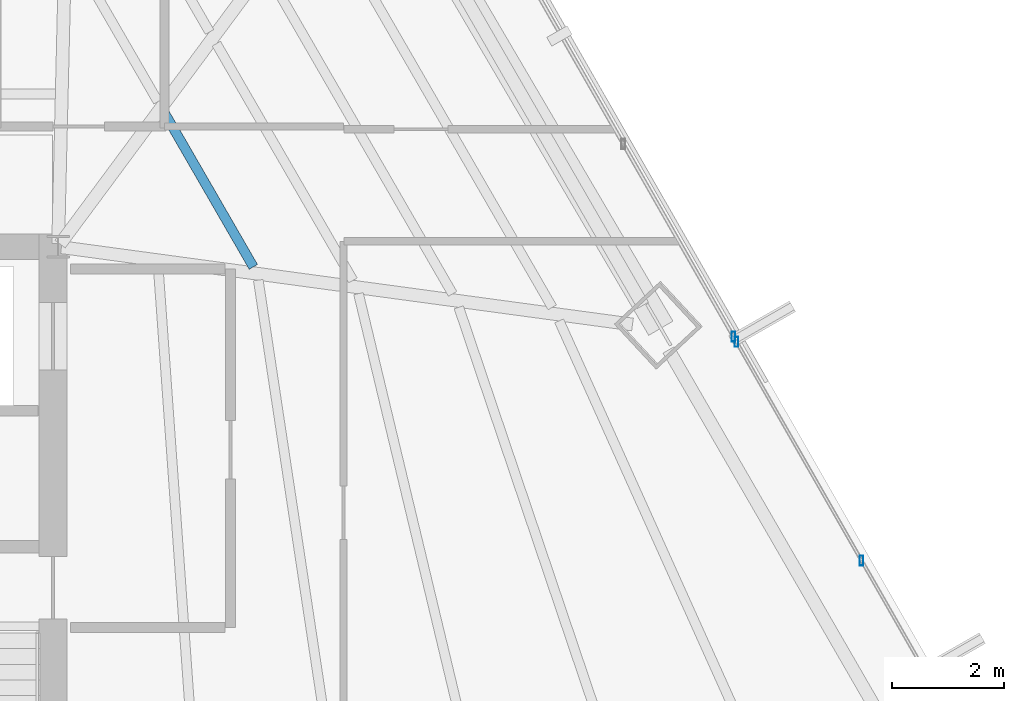
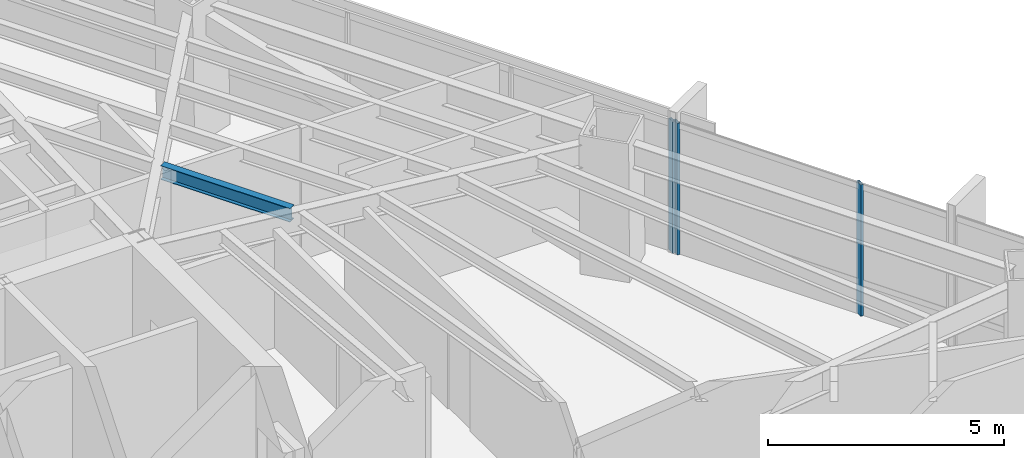
# One storey, part 21 of 36: 3 members, 1 beam, 2 elements without a shape of their own.
"""IFC4 building model written with IfcOpenShell, lengths in metres."""

import ifcopenshell
import ifcopenshell.guid

model = None  # the IFC model being written
_history = None  # IfcOwnerHistory: only IFC2X3 demands one
_inside = {}  # id of a spatial element -> (the spatial element, [elements in it])
_under = {}  # id of a project, library or spatial element -> (it, [spatial elements below it])
_declared = {}  # id of a project -> (the project, [libraries it declares])
_typed = {}  # id of a type object -> (the type object, [elements of that type])
_made_of = {}  # id of a material, layer set ... -> (it, [elements and type objects made of it])


def new_model(schema):
    """Start an empty IFC model of exactly this schema.

    Asked for "IFC4X3", IfcOpenShell would pick the latest addendum, in which some entities
    have other attributes; the version numbers below select the first issue.
    IFC2X3 requires an IfcOwnerHistory on every rooted entity: one is made here for all.
    """
    global model, _history
    if schema == "IFC4X3":
        model = ifcopenshell.file(schema_version=(4, 3, 0, 0))
    else:
        model = ifcopenshell.file(schema=schema)
    _inside.clear()
    _under.clear()
    _declared.clear()
    _typed.clear()
    _made_of.clear()
    _history = None
    if model.schema == "IFC2X3":
        org = make("IfcOrganization", Name="unknown")
        user = make(
            "IfcPersonAndOrganization",
            ThePerson=make("IfcPerson", FamilyName="unknown"),
            TheOrganization=org,
        )
        app = make(
            "IfcApplication",
            ApplicationDeveloper=org,
            Version="unknown",
            ApplicationFullName="unknown",
            ApplicationIdentifier="unknown",
        )
        _history = make(
            "IfcOwnerHistory",
            OwningUser=user,
            OwningApplication=app,
            ChangeAction="ADDED",
            CreationDate=0,
        )
    return model


def make(cls, **values):
    """One entity of the class cls with the attributes given. An attribute that is None is left unset."""
    return model.create_entity(
        cls, **{name: value for name, value in values.items() if value is not None}
    )


def rooted(cls, **values):
    """An entity with a GlobalId (a new one), such as an element, a storey or a relation."""
    return make(cls, GlobalId=ifcopenshell.guid.new(), OwnerHistory=_history, **values)


def si_unit(unit_type, name, prefix=None):
    """IfcSIUnit, for example si_unit("LENGTHUNIT", "METRE", prefix="MILLI")."""
    return make("IfcSIUnit", UnitType=unit_type, Prefix=prefix, Name=name)


def assignment(units):
    """IfcUnitAssignment: the units of a project."""
    return None if units is None else make("IfcUnitAssignment", Units=units)


def point(xyz):
    """IfcCartesianPoint."""
    return None if xyz is None else make("IfcCartesianPoint", Coordinates=xyz)


def direction(xyz):
    """IfcDirection."""
    return None if xyz is None else make("IfcDirection", DirectionRatios=xyz)


def frame(location, z_axis=None, x_axis=None):
    """IfcAxis2Placement3D, a coordinate frame: its origin and axes. An axis left out is left unset."""
    return make(
        "IfcAxis2Placement3D",
        Location=point(location),
        Axis=direction(z_axis),
        RefDirection=direction(x_axis),
    )


def frame_2d(location, x_axis=None):
    """IfcAxis2Placement2D, a coordinate frame in the plane: its origin and x axis."""
    return make(
        "IfcAxis2Placement2D", Location=point(location), RefDirection=direction(x_axis)
    )


def origin():
    """The frame at (0, 0, 0) with its axes left unset."""
    return frame((0.0, 0.0, 0.0))


def origin_2d():
    """The frame at (0, 0) in the plane with its x axis left unset."""
    return frame_2d((0.0, 0.0))


def place(relative_to, where):
    """IfcLocalPlacement: puts the frame where relative to a parent placement (None: the world)."""
    return make(
        "IfcLocalPlacement", PlacementRelTo=relative_to, RelativePlacement=where
    )


def context(
    kind, dimensions, precision=None, world=None, true_north=None, identifier=None
):
    """IfcGeometricRepresentationContext, for example the 3D "Model" context."""
    return make(
        "IfcGeometricRepresentationContext",
        ContextIdentifier=identifier,
        ContextType=kind,
        CoordinateSpaceDimension=dimensions,
        Precision=precision,
        WorldCoordinateSystem=world,
        TrueNorth=true_north,
    )


def subcontext(parent, identifier, kind, view, scale=None):
    """IfcGeometricRepresentationSubContext, for example "Body" below "Model"."""
    return make(
        "IfcGeometricRepresentationSubContext",
        ContextIdentifier=identifier,
        ContextType=kind,
        ParentContext=parent,
        TargetScale=scale,
        TargetView=view,
    )


def project(units=None, contexts=None):
    """IfcProject with its units and contexts."""
    return rooted(
        "IfcProject",
        Name="project",
        RepresentationContexts=contexts,
        UnitsInContext=assignment(units),
    )


def spatial(cls, under=None, at=None, **own):
    """A site, building, storey or space (cls), placed at a placement, below another one or the project."""
    s = rooted(cls, ObjectPlacement=at, **own)
    if under is not None:
        _under.setdefault(under.id(), (under, []))[1].append(s)
    return s


def profile(cls, at=None, kind="AREA", **sizes):
    """A parametric profile (cls). Its sizes go by their IFC names, for example OverallWidth=200.0."""
    return make(cls, ProfileType=kind, Position=at, **sizes)


def hollow_rectangle(**sizes):
    """IfcRectangleHollowProfileDef."""
    return profile("IfcRectangleHollowProfileDef", **sizes)


def i_section(**sizes):
    """IfcIShapeProfileDef."""
    return profile("IfcIShapeProfileDef", **sizes)


def extrude(swept, where, along, depth):
    """IfcExtrudedAreaSolid: the profile swept, set in the frame where, extruded along a direction by depth."""
    return make(
        "IfcExtrudedAreaSolid",
        SweptArea=swept,
        Position=where,
        ExtrudedDirection=direction(along),
        Depth=depth,
    )


def shape(context_of_items, identifier, shape_type, items):
    """IfcShapeRepresentation: the items that make up one representation, for example the "Body"."""
    return make(
        "IfcShapeRepresentation",
        ContextOfItems=context_of_items,
        RepresentationIdentifier=identifier,
        RepresentationType=shape_type,
        Items=items,
    )


def source(mapping_origin, context_of_items, identifier, shape_type, items):
    """IfcRepresentationMap: a shape defined once, which mapped items show again and again."""
    return make(
        "IfcRepresentationMap",
        MappingOrigin=mapping_origin,
        MappedRepresentation=shape(context_of_items, identifier, shape_type, items),
    )


def transform(
    local_origin,
    x_axis=None,
    y_axis=None,
    z_axis=None,
    scale=None,
    scale2=None,
    scale3=None,
    uniform=True,
):
    """IfcCartesianTransformationOperator3D, or its non-uniform kind. x_axis, y_axis, z_axis: its Axis1, 2, 3."""
    if uniform:
        return make(
            "IfcCartesianTransformationOperator3D",
            Axis1=direction(x_axis),
            Axis2=direction(y_axis),
            LocalOrigin=point(local_origin),
            Scale=scale,
            Axis3=direction(z_axis),
        )
    return make(
        "IfcCartesianTransformationOperator3DnonUniform",
        Axis1=direction(x_axis),
        Axis2=direction(y_axis),
        LocalOrigin=point(local_origin),
        Scale=scale,
        Axis3=direction(z_axis),
        Scale2=scale2,
        Scale3=scale3,
    )


def mapped(mapping_source, mapping_target):
    """IfcMappedItem: shows the shape of a source again, moved by a transform."""
    return make(
        "IfcMappedItem", MappingSource=mapping_source, MappingTarget=mapping_target
    )


def material(Name=None, Category=None):
    """IfcMaterial."""
    return make("IfcMaterial", Name=Name, Category=Category)


def material_profile(
    of_material, cross_section, Name=None, Category=None, Priority=None
):
    """IfcMaterialProfile: a cross section and its material."""
    return make(
        "IfcMaterialProfile",
        Name=Name,
        Material=of_material,
        Profile=cross_section,
        Priority=Priority,
        Category=Category,
    )


def profile_set(profiles, Name=None, composite=None):
    """IfcMaterialProfileSet."""
    return make(
        "IfcMaterialProfileSet",
        Name=Name,
        MaterialProfiles=profiles,
        CompositeProfile=composite,
    )


def made_of(thing, what):
    """Note that an element or type object is made of a material, layer set ...; save() writes the relation."""
    if what is not None:
        _made_of.setdefault(what.id(), (what, []))[1].append(thing)
    return thing


def type_object(cls, material=None, **own):
    """A type object (cls), such as IfcWallType, which elements share."""
    return made_of(rooted(cls, **own), material)


def type_shapes(of_type, sources):
    """Give a type object the sources (RepresentationMaps) that its elements show as mapped items."""
    of_type.RepresentationMaps = sources


def element(
    cls,
    number,
    at=None,
    inside=None,
    cuts=None,
    type_object=None,
    material=None,
    context=None,
    identifier="Body",
    shape_type=None,
    held_by="IfcProductDefinitionShape",
    body=None,
    shapes=None,
    **own,
):
    """One element of the class cls, such as IfcWall. Its Tag is "e" and its number.

    at: its placement. inside: the storey or other place that contains it. cuts: it is an
    opening in that element (IfcRelVoidsElement). A single representation is given by context,
    identifier, shape_type and body (its items); several are given by shapes. held_by: the class
    of the entity that holds the representations. save() writes the other relations.
    """
    e = rooted(cls, Tag="e%d" % number, ObjectPlacement=at, **own)
    if body is not None:
        shapes = [shape(context, identifier, shape_type, body)]
    if shapes is not None:
        e.Representation = make(held_by, Representations=shapes)
    if inside is not None:
        _inside.setdefault(inside.id(), (inside, []))[1].append(e)
    if cuts is not None:
        rooted(
            "IfcRelVoidsElement", RelatingBuildingElement=cuts, RelatedOpeningElement=e
        )
    if type_object is not None:
        _typed.setdefault(type_object.id(), (type_object, []))[1].append(e)
    return made_of(e, material)


def aggregate(whole, parts):
    """IfcRelAggregates: a whole, such as a stair, and the parts it consists of."""
    return rooted("IfcRelAggregates", RelatingObject=whole, RelatedObjects=parts)


def save(model, path):
    """Write the relations noted so far, then the file.

    IfcRelAggregates (storeys below a building ...), IfcRelContainedInSpatialStructure (elements
    in a storey), IfcRelDefinesByType, IfcRelAssociatesMaterial and IfcRelDeclares: one each for
    every whole, place, type object, material and project.
    """
    for whole, parts in _under.values():
        aggregate(whole, parts)
    for where, things in _inside.values():
        rooted(
            "IfcRelContainedInSpatialStructure",
            RelatedElements=things,
            RelatingStructure=where,
        )
    for kind, things in _typed.values():
        rooted("IfcRelDefinesByType", RelatedObjects=things, RelatingType=kind)
    for what, things in _made_of.values():
        rooted("IfcRelAssociatesMaterial", RelatedObjects=things, RelatingMaterial=what)
    for by, libraries in _declared.values():
        rooted("IfcRelDeclares", RelatingContext=by, RelatedDefinitions=libraries)
    model.write(path)


model = new_model("IFC4")

# Units and contexts
model_context = context("Model", 3, precision=1e-05, world=origin(), true_north=direction((0.0, 1.0)))
body_context = subcontext(model_context, "Body", "Model", "MODEL_VIEW")
ifc_project = project(units=[si_unit("LENGTHUNIT", "METRE"), si_unit("AREAUNIT", "SQUARE_METRE"), si_unit("VOLUMEUNIT", "CUBIC_METRE"), si_unit("PLANEANGLEUNIT", "RADIAN"), si_unit("MASSUNIT", "GRAM", prefix="KILO")], contexts=[model_context])

# Site, building, storey
site_placement = place(None, origin())
site = spatial("IfcSite", under=ifc_project, at=site_placement, CompositionType="ELEMENT")
building_placement = place(site_placement, origin())
building = spatial("IfcBuilding", under=site, at=building_placement, Name="Caelisora Broadcast Tower", CompositionType="ELEMENT")
storey_placement = place(building_placement, frame((0.0, 0.0, 83.5)))
storey = spatial("IfcBuildingStorey", under=building, at=storey_placement, Name="L21", CompositionType="ELEMENT", Elevation=83.5)

# Beam
ifc_material_1 = material(Name="Steel Grade 350 (AS/NZS 3679.1)", Category="steel")
ifc_material_profile_1 = material_profile(ifc_material_1, i_section(OverallWidth=0.172119140625, OverallDepth=0.358642578125, WebThickness=0.008056640625, FlangeThickness=0.012939453125, at=origin_2d()), Name="Steel Grade 350 (AS/NZS 3679.1)")
ifc_profile_set_1 = profile_set([ifc_material_profile_1], Name="Steel Grade 350 (AS/NZS 3679.1)")
beam_type = type_object("IfcBeamType", Name="SB02", PredefinedType="JOIST", material=ifc_profile_set_1)
shared_shape_1 = source(origin(), body_context, "Body", "SweptSolid", [
    extrude(i_section(OverallWidth=0.172119140625, OverallDepth=0.358642578125, WebThickness=0.008056640625, FlangeThickness=0.012939453125, at=origin_2d()), origin(), (0.0, 0.0, 1.0), 3.16748046875),
])
type_shapes(beam_type, [shared_shape_1])
beam_placement = place(storey_placement, frame((48.989013671875, 29.640380859375, 3.220703125), z_axis=(-0.499993778509, 0.866028995734, 0.0), x_axis=(-0.866028995734, -0.499993778509, 0.0)))
element("IfcBeam", 1, at=beam_placement, inside=storey, type_object=beam_type, Name="L21 beam SB02", PredefinedType="JOIST", context=body_context, shape_type="MappedRepresentation", body=[
    mapped(shared_shape_1, transform((0.0, 0.0, 0.0), scale=1.0)),
])

# Curtain wall, member
ifc_material_2 = material(Name="Unitised Aluminium Insulated Shadow-Box Spandrel Curtain Wall", Category="aluminium")
curtain_wall_type_1 = type_object("IfcCurtainWallType", Name="CW-SP1", PredefinedType="NOTDEFINED", material=ifc_material_2)
curtain_wall_1_placement = place(storey_placement, origin())
curtain_wall_1 = element("IfcCurtainWall", 2, at=curtain_wall_1_placement, inside=storey, type_object=curtain_wall_type_1, Name="L21 curtain wall CW-SP1", PredefinedType="NOTDEFINED")
ifc_material_3 = material(Name="Aluminium 6063-T6 Anodised Terracotta Bronze", Category="aluminium")
ifc_material_profile_2 = material_profile(ifc_material_3, hollow_rectangle(XDim=0.06494140625, YDim=0.179931640625, WallThickness=0.00341796875, at=origin_2d()), Name="Aluminium 6063-T6 Anodised Terracotta Bronze")
ifc_profile_set_2 = profile_set([ifc_material_profile_2], Name="Aluminium 6063-T6 Anodised Terracotta Bronze")
member_type = type_object("IfcMemberType", Name="CWM-02", PredefinedType="MULLION", material=ifc_profile_set_2)
shared_shape_2 = source(origin(), body_context, "Body", "SweptSolid", [
    extrude(hollow_rectangle(XDim=0.06494140625, YDim=0.179931640625, WallThickness=0.00341796875, at=origin_2d()), origin(), (0.0, 0.0, 1.0), 3.39990234375),
])
type_shapes(member_type, [shared_shape_2])
member_1_placement = place(storey_placement, frame((57.56640625, 28.39453125, 0.0), z_axis=(0.0, 0.0, 1.0), x_axis=(1.0, 0.0, 0.0)))
member_1 = element("IfcMember", 3, at=member_1_placement, type_object=member_type, Name="L21-CW-B02 mullion #3", PredefinedType="MULLION", context=body_context, shape_type="MappedRepresentation", body=[
    mapped(shared_shape_2, transform((0.0, 0.0, 0.0), scale=1.0)),
])
aggregate(curtain_wall_1, [member_1])

# Curtain wall, members
ifc_material_4 = material(Name="Unitised Aluminium and Low-E Glass Curtain Wall", Category="glass")
curtain_wall_type_2 = type_object("IfcCurtainWallType", Name="CW-Z2", PredefinedType="NOTDEFINED", material=ifc_material_4)
curtain_wall_2_placement = place(storey_placement, origin())
curtain_wall_2 = element("IfcCurtainWall", 4, at=curtain_wall_2_placement, inside=storey, type_object=curtain_wall_type_2, Name="L21 curtain wall CW-Z2", PredefinedType="NOTDEFINED")
member_2_placement = place(storey_placement, frame((57.62109375, 28.299072265625, 0.0), z_axis=(0.0, 0.0, 1.0), x_axis=(1.0, 0.0, 0.0)))
member_2 = element("IfcMember", 5, at=member_2_placement, type_object=member_type, Name="L21-CW-B03 mullion #0", PredefinedType="MULLION", context=body_context, shape_type="MappedRepresentation", body=[
    mapped(shared_shape_2, transform((0.0, 0.0, 0.0), scale=1.0)),
])
member_3_placement = place(storey_placement, frame((59.8564453125, 24.3916015625, 0.0), z_axis=(0.0, 0.0, 1.0), x_axis=(1.0, 0.0, 0.0)))
member_3 = element("IfcMember", 6, at=member_3_placement, type_object=member_type, Name="L21-CW-B03 mullion #1", PredefinedType="MULLION", context=body_context, shape_type="MappedRepresentation", body=[
    mapped(shared_shape_2, transform((0.0, 0.0, 0.0), scale=1.0)),
])
aggregate(curtain_wall_2, [member_2, member_3])

save(model, "model.ifc")
